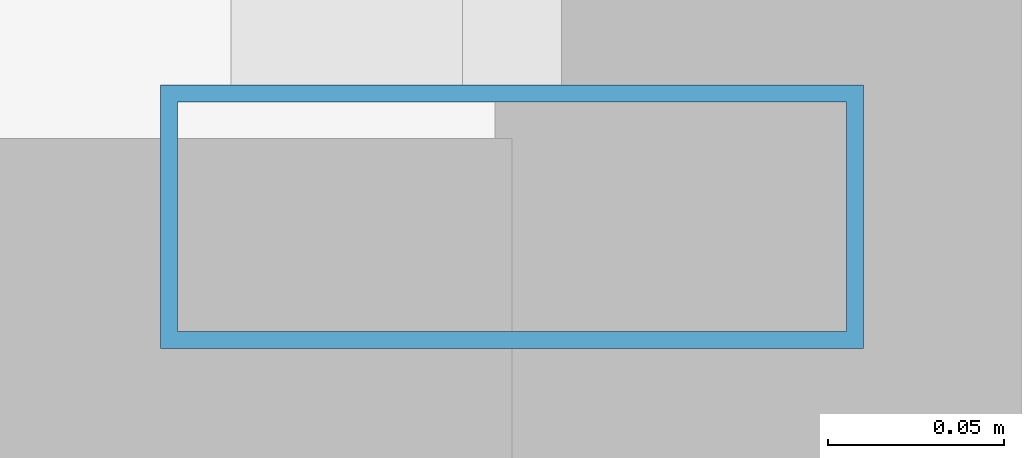
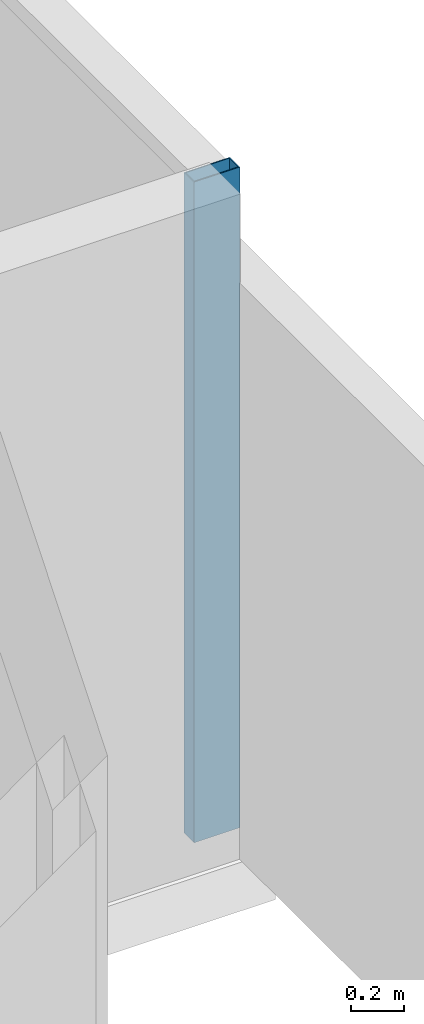
# One storey, part 11 of 31: 1 member, 1 element without a shape of its own.
"""IFC4 building model written with IfcOpenShell, lengths in metres."""

from ifc_helpers import new_model, si_unit, direction, frame, origin, origin_2d, place, context, subcontext, project, spatial, hollow_rectangle, extrude, source, transform, mapped, material, layer, layer_set, material_profile, profile_set, type_object, element, aggregate, save


model = new_model("IFC4")

# Units and contexts
model_context = context("Model", 3, precision=1e-05, world=origin(), true_north=direction((0.0, 1.0)))
body_context = subcontext(model_context, "Body", "Model", "MODEL_VIEW")
ifc_project = project(units=[si_unit("LENGTHUNIT", "METRE"), si_unit("AREAUNIT", "SQUARE_METRE"), si_unit("VOLUMEUNIT", "CUBIC_METRE"), si_unit("PLANEANGLEUNIT", "RADIAN"), si_unit("MASSUNIT", "GRAM", prefix="KILO")], contexts=[model_context])

# Site, building, storey
site_placement = place(None, origin())
site = spatial("IfcSite", under=ifc_project, at=site_placement, CompositionType="ELEMENT")
building_placement = place(site_placement, origin())
building = spatial("IfcBuilding", under=site, at=building_placement, Name="Zarnakvel Exchange Tower", CompositionType="ELEMENT")
storey_placement = place(building_placement, frame((0.0, 0.0, 67.0)))
storey = spatial("IfcBuildingStorey", under=building, at=storey_placement, Name="L18", CompositionType="ELEMENT", Elevation=67.0)

# Curtain wall, member
ifc_material = material(Name="Architectural Bronze Anodised Aluminium", Category="aluminium")
ifc_layer = layer(ifc_material, 0.199951171875)
ifc_layer_set = layer_set([ifc_layer], Name="Architectural Bronze Anodised Aluminium")
curtain_wall_type = type_object("IfcCurtainWallType", Name="CW-04", PredefinedType="NOTDEFINED", material=ifc_layer_set)
curtain_wall_placement = place(storey_placement, origin())
curtain_wall = element("IfcCurtainWall", 1, at=curtain_wall_placement, inside=storey, type_object=curtain_wall_type, Name="L18 Curtain Wall CW-L18-E1 (CW-04)", PredefinedType="NOTDEFINED")
ifc_material_profile = material_profile(ifc_material, hollow_rectangle(XDim=0.199951171875, YDim=0.074951171875, WallThickness=0.0048828125, at=origin_2d()))
ifc_profile_set = profile_set([ifc_material_profile], Name="Architectural Bronze Anodised Aluminium")
member_type = type_object("IfcMemberType", Name="CWM-04", PredefinedType="MULLION", material=ifc_profile_set)
shared_shape = source(origin(), body_context, "Body", "SweptSolid", [
    extrude(hollow_rectangle(XDim=0.199951171875, YDim=0.074951171875, WallThickness=0.0048828125, at=origin_2d()), origin(), (0.0, 0.0, 1.0), 3.054931640625),
])
member_placement = place(storey_placement, frame((32.4599609375, -14.96240234375, 0.0), z_axis=(0.0, 0.0, 1.0), x_axis=(-1.0, 0.0, 0.0)))
member = element("IfcMember", 2, at=member_placement, type_object=member_type, Name="CW-04 mullion 1", PredefinedType="MULLION", context=body_context, shape_type="MappedRepresentation", body=[
    mapped(shared_shape, transform((0.0, 0.0, 0.0), x_axis=(1.0, 0.0, 0.0), y_axis=(0.0, 1.0, 0.0), z_axis=(0.0, 0.0, 1.0), scale=1.0)),
])
aggregate(curtain_wall, [member])

save(model, "model.ifc")
